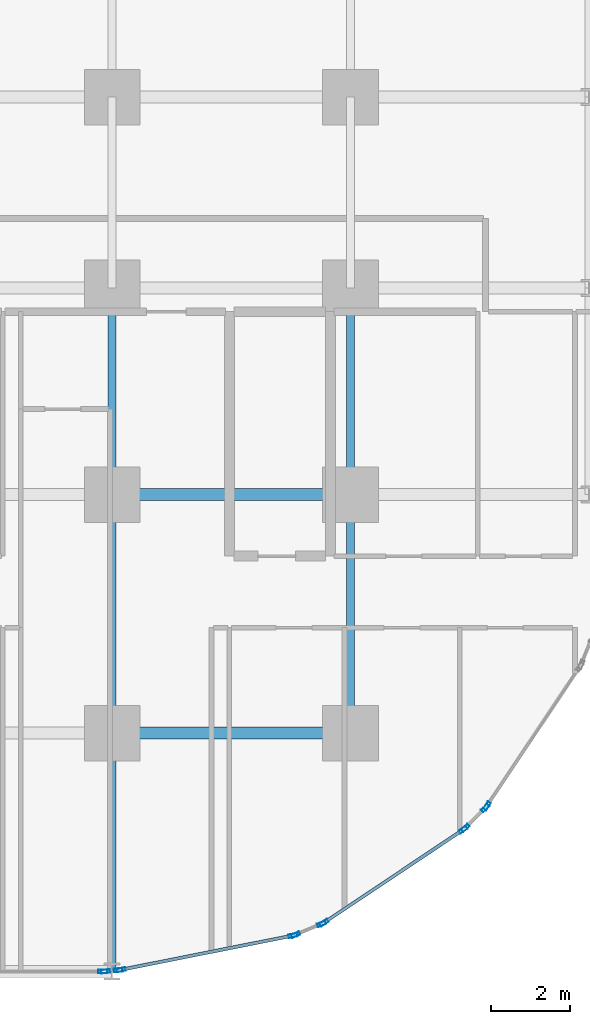
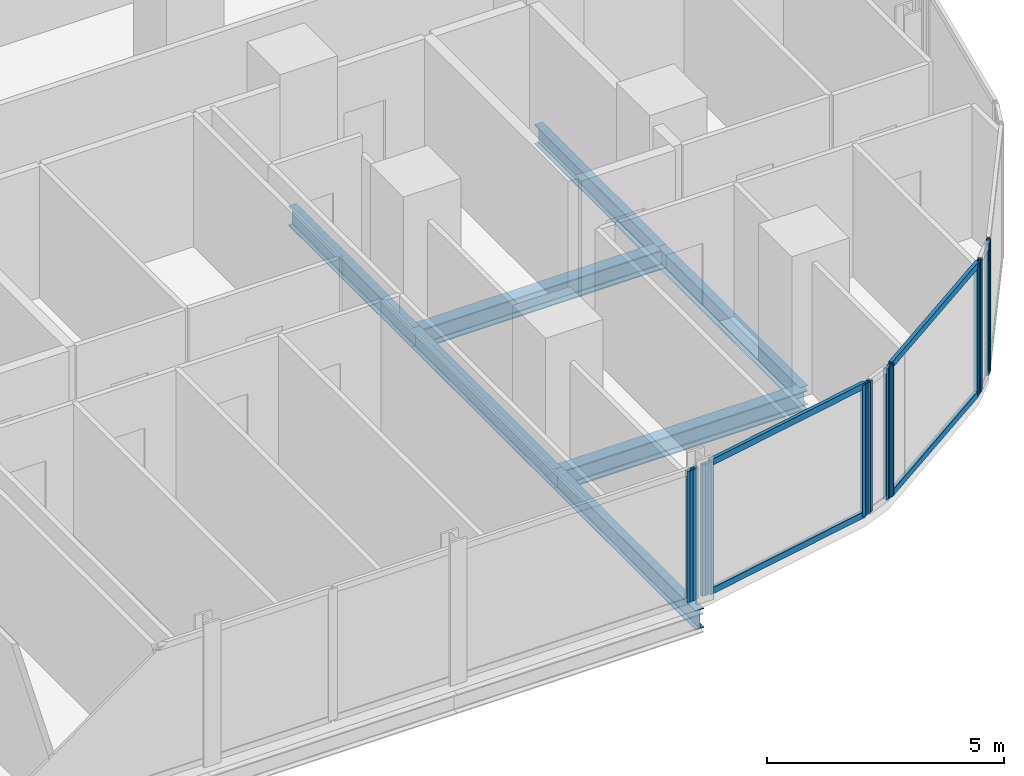
# One storey, part 9 of 33: 16 members, 7 beams, 7 elements without a shape of their own.
"""IFC4 building model written with IfcOpenShell, lengths in metres."""

from ifc_helpers import new_model, si_unit, direction, frame, origin, origin_2d, place, context, subcontext, project, spatial, hollow_rectangle, i_section, extrude, material, layer, layer_set, material_profile, profile_set, type_object, element, aggregate, save


model = new_model("IFC4")

# Units and contexts
model_context = context("Model", 3, precision=1e-05, world=origin(), true_north=direction((0.0, 1.0)))
body_context = subcontext(model_context, "Body", "Model", "MODEL_VIEW")
ifc_project = project(units=[si_unit("LENGTHUNIT", "METRE"), si_unit("AREAUNIT", "SQUARE_METRE"), si_unit("VOLUMEUNIT", "CUBIC_METRE"), si_unit("PLANEANGLEUNIT", "RADIAN"), si_unit("MASSUNIT", "GRAM", prefix="KILO")], contexts=[model_context])

# Site, building, storey
site_placement = place(None, origin())
site = spatial("IfcSite", under=ifc_project, at=site_placement, CompositionType="ELEMENT")
building_placement = place(site_placement, origin())
building = spatial("IfcBuilding", under=site, at=building_placement, Name="Keshet Zoharim Tower", CompositionType="ELEMENT")
storey_placement = place(building_placement, frame((0.0, 0.0, 27.699951171875)))
storey = spatial("IfcBuildingStorey", under=building, at=storey_placement, Name="L05", CompositionType="ELEMENT", Elevation=27.699951171875)

# Beams
ifc_material_1 = material(Name="Steel S355", Category="steel")
ifc_material_profile_1 = material_profile(ifc_material_1, i_section(OverallWidth=0.199951171875, OverallDepth=0.5, WebThickness=0.01025390625, FlangeThickness=0.01611328125, FilletRadius=0.02099609375, at=origin_2d()), Name="IPE500")
ifc_profile_set_1 = profile_set([ifc_material_profile_1], Name="Steel S355")
beam_type_1 = type_object("IfcBeamType", Name="BM-PRI-IP500", PredefinedType="BEAM", material=ifc_profile_set_1)
for number, where, z_axis, x_axis, name in (
    (1, (57.0, 0.699951171875, -0.56494140625), (0.0, 1.0, 0.0), (-1.0, 0.0, 0.0), "L05 Primary Girder Y-013"),
    (2, (57.0, 6.699951171875, -0.56494140625), (0.0, 1.0, 0.0), (-1.0, 0.0, 0.0), "L05 Primary Girder Y-014"),
):
    element("IfcBeam", number, at=place(storey_placement, frame(where, z_axis=z_axis, x_axis=x_axis)), inside=storey, type_object=beam_type_1, Name=name, PredefinedType="BEAM", context=body_context, shape_type="SweptSolid", body=[
        extrude(i_section(OverallWidth=0.199951171875, OverallDepth=0.5, WebThickness=0.01025390625, FlangeThickness=0.01611328125, FilletRadius=0.02099609375, at=origin_2d()), origin(), (0.0, 0.0, 1.0), 6.0),
    ])
beam_1_placement = place(storey_placement, frame((57.0, 12.699951171875, -0.56494140625), z_axis=(0.0, 1.0, 0.0), x_axis=(-1.0, 0.0, 0.0)))
element("IfcBeam", 3, at=beam_1_placement, inside=storey, type_object=beam_type_1, Name="L05 Primary Girder Y-015", PredefinedType="BEAM", context=body_context, shape_type="SweptSolid", body=[
    extrude(i_section(OverallWidth=0.199951171875, OverallDepth=0.5, WebThickness=0.01025390625, FlangeThickness=0.01611328125, FilletRadius=0.02099609375, at=origin_2d()), origin(), (0.0, 0.0, 1.0), 5.199951171875),
])
beam_2_placement = place(storey_placement, frame((63.0, 6.699951171875, -0.56494140625), z_axis=(0.0, 1.0, 0.0), x_axis=(-1.0, 0.0, 0.0)))
element("IfcBeam", 4, at=beam_2_placement, inside=storey, type_object=beam_type_1, Name="L05 Primary Girder Y-018", PredefinedType="BEAM", context=body_context, shape_type="SweptSolid", body=[
    extrude(i_section(OverallWidth=0.199951171875, OverallDepth=0.5, WebThickness=0.01025390625, FlangeThickness=0.01611328125, FilletRadius=0.02099609375, at=origin_2d()), origin(), (0.0, 0.0, 1.0), 6.0),
])
beam_3_placement = place(storey_placement, frame((63.0, 12.699951171875, -0.56494140625), z_axis=(0.0, 1.0, 0.0), x_axis=(-1.0, 0.0, 0.0)))
element("IfcBeam", 5, at=beam_3_placement, inside=storey, type_object=beam_type_1, Name="L05 Primary Girder Y-019", PredefinedType="BEAM", context=body_context, shape_type="SweptSolid", body=[
    extrude(i_section(OverallWidth=0.199951171875, OverallDepth=0.5, WebThickness=0.01025390625, FlangeThickness=0.01611328125, FilletRadius=0.02099609375, at=origin_2d()), origin(), (0.0, 0.0, 1.0), 5.199951171875),
])
ifc_material_profile_2 = material_profile(ifc_material_1, i_section(OverallWidth=0.300048828125, OverallDepth=0.5, WebThickness=0.014404296875, FlangeThickness=0.028076171875, FilletRadius=0.027099609375, at=origin_2d()), Name="HEB500")
ifc_profile_set_2 = profile_set([ifc_material_profile_2], Name="Steel S355")
beam_type_2 = type_object("IfcBeamType", Name="BM-WEB-HB500", PredefinedType="BEAM", material=ifc_profile_set_2)
for number, where, z_axis, x_axis, name in (
    (6, (57.0, 6.699951171875, -0.56494140625), (1.0, 0.0, 0.0), (0.0, 1.0, 0.0), "L05 Primary Girder X-010"),
    (7, (57.0, 12.699951171875, -0.56494140625), (1.0, 0.0, 0.0), (0.0, 1.0, 0.0), "L05 Primary Girder X-013"),
):
    element("IfcBeam", number, at=place(storey_placement, frame(where, z_axis=z_axis, x_axis=x_axis)), inside=storey, type_object=beam_type_2, Name=name, PredefinedType="BEAM", context=body_context, shape_type="SweptSolid", body=[
        extrude(i_section(OverallWidth=0.300048828125, OverallDepth=0.5, WebThickness=0.014404296875, FlangeThickness=0.028076171875, FilletRadius=0.027099609375, at=origin_2d()), origin(), (0.0, 0.0, 1.0), 6.0),
    ])

# Curtain wall, member
ifc_material_2 = material(Name="Aluminium 6063-T6", Category="aluminium")
ifc_layer = layer(ifc_material_2, 0.179931640625)
ifc_layer_set = layer_set([ifc_layer], Name="Aluminium 6063-T6")
curtain_wall_type = type_object("IfcCurtainWallType", Name="CW-SYS-01", PredefinedType="NOTDEFINED", material=ifc_layer_set)
curtain_wall_1_placement = place(storey_placement, origin())
curtain_wall_1 = element("IfcCurtainWall", 8, at=curtain_wall_1_placement, inside=storey, type_object=curtain_wall_type, Name="L05 Unitised Curtain Wall 20", PredefinedType="NOTDEFINED")
ifc_material_profile_3 = material_profile(ifc_material_2, hollow_rectangle(XDim=0.090087890625, YDim=0.219970703125, WallThickness=0.0048828125, at=origin_2d()), Name="MUL-90x220")
ifc_profile_set_3 = profile_set([ifc_material_profile_3], Name="Aluminium 6063-T6")
member_type_1 = type_object("IfcMemberType", Name="CWM-M22", PredefinedType="MULLION", material=ifc_profile_set_3)
member_1_placement = place(storey_placement, frame((66.432373046875, 4.8671875, 0.0), z_axis=(0.0, 0.0, 1.0), x_axis=(0.831474282335, -0.555563243758, 0.0)))
member_1 = element("IfcMember", 9, at=member_1_placement, type_object=member_type_1, Name="CW-01 mullion 2", PredefinedType="MULLION", context=body_context, shape_type="SweptSolid", body=[
    extrude(hollow_rectangle(XDim=0.090087890625, YDim=0.219970703125, WallThickness=0.0048828125, at=origin_2d()), origin(), (0.0, 0.0, 1.0), 3.385009765625),
])
aggregate(curtain_wall_1, [member_1])

# Curtain wall, members
curtain_wall_2_placement = place(storey_placement, origin())
curtain_wall_2 = element("IfcCurtainWall", 10, at=curtain_wall_2_placement, inside=storey, type_object=curtain_wall_type, Name="L05 Unitised Curtain Wall 21", PredefinedType="NOTDEFINED")
member_2_placement = place(storey_placement, frame((66.38818359375, 4.813232421875, 0.0), z_axis=(0.0, 0.0, 1.0), x_axis=(0.707106781187, -0.707106781187, 0.0)))
member_2 = element("IfcMember", 11, at=member_2_placement, type_object=member_type_1, Name="CW-01 mullion 1", PredefinedType="MULLION", context=body_context, shape_type="SweptSolid", body=[
    extrude(hollow_rectangle(XDim=0.090087890625, YDim=0.219970703125, WallThickness=0.0048828125, at=origin_2d()), origin(), (0.0, 0.0, 1.0), 3.385009765625),
])
member_3_placement = place(storey_placement, frame((65.88671875, 4.311767578125, 0.0), z_axis=(0.0, 0.0, 1.0), x_axis=(0.707106781187, -0.707106781187, 0.0)))
member_3 = element("IfcMember", 12, at=member_3_placement, type_object=member_type_1, Name="CW-01 mullion 2", PredefinedType="MULLION", context=body_context, shape_type="SweptSolid", body=[
    extrude(hollow_rectangle(XDim=0.090087890625, YDim=0.219970703125, WallThickness=0.0048828125, at=origin_2d()), origin(), (0.0, 0.0, 1.0), 3.385009765625),
])
aggregate(curtain_wall_2, [member_2, member_3])

curtain_wall_3_placement = place(storey_placement, origin())
curtain_wall_3 = element("IfcCurtainWall", 13, at=curtain_wall_3_placement, inside=storey, type_object=curtain_wall_type, Name="L05 Unitised Curtain Wall 22", PredefinedType="NOTDEFINED")
member_4_placement = place(storey_placement, frame((65.8330078125, 4.267578125, 0.0), z_axis=(0.0, 0.0, 1.0), x_axis=(0.555563243758, -0.831474282335, 0.0)))
member_4 = element("IfcMember", 14, at=member_4_placement, type_object=member_type_1, Name="CW-01 mullion 1", PredefinedType="MULLION", context=body_context, shape_type="SweptSolid", body=[
    extrude(hollow_rectangle(XDim=0.090087890625, YDim=0.219970703125, WallThickness=0.0048828125, at=origin_2d()), origin(), (0.0, 0.0, 1.0), 3.385009765625),
])
member_5_placement = place(storey_placement, frame((62.335205078125, 1.930419921875, 0.0), z_axis=(0.0, 0.0, 1.0), x_axis=(0.555563243758, -0.831474282335, 0.0)))
member_5 = element("IfcMember", 15, at=member_5_placement, type_object=member_type_1, Name="CW-01 mullion 2", PredefinedType="MULLION", context=body_context, shape_type="SweptSolid", body=[
    extrude(hollow_rectangle(XDim=0.090087890625, YDim=0.219970703125, WallThickness=0.0048828125, at=origin_2d()), origin(), (0.0, 0.0, 1.0), 3.385009765625),
])

curtain_wall_4_placement = place(storey_placement, origin())
curtain_wall_4 = element("IfcCurtainWall", 16, at=curtain_wall_4_placement, inside=storey, type_object=curtain_wall_type, Name="L05 Unitised Curtain Wall 23", PredefinedType="NOTDEFINED")
member_6_placement = place(storey_placement, frame((62.273681640625, 1.897705078125, 0.0), z_axis=(0.0, 0.0, 1.0), x_axis=(0.383068349739, -0.923720000557, 0.0)))
member_6 = element("IfcMember", 17, at=member_6_placement, type_object=member_type_1, Name="CW-01 mullion 1", PredefinedType="MULLION", context=body_context, shape_type="SweptSolid", body=[
    extrude(hollow_rectangle(XDim=0.090087890625, YDim=0.219970703125, WallThickness=0.0048828125, at=origin_2d()), origin(), (0.0, 0.0, 1.0), 3.385009765625),
])
member_7_placement = place(storey_placement, frame((61.617431640625, 1.62548828125, 0.0), z_axis=(0.0, 0.0, 1.0), x_axis=(0.383068349739, -0.923720000557, 0.0)))
member_7 = element("IfcMember", 18, at=member_7_placement, type_object=member_type_1, Name="CW-01 mullion 2", PredefinedType="MULLION", context=body_context, shape_type="SweptSolid", body=[
    extrude(hollow_rectangle(XDim=0.090087890625, YDim=0.219970703125, WallThickness=0.0048828125, at=origin_2d()), origin(), (0.0, 0.0, 1.0), 3.385009765625),
])
aggregate(curtain_wall_4, [member_6, member_7])

curtain_wall_5_placement = place(storey_placement, origin())
curtain_wall_5 = element("IfcCurtainWall", 19, at=curtain_wall_5_placement, inside=storey, type_object=curtain_wall_type, Name="L05 Unitised Curtain Wall 24", PredefinedType="NOTDEFINED")
member_8_placement = place(storey_placement, frame((61.55078125, 1.605224609375, 0.0), z_axis=(0.0, 0.0, 1.0), x_axis=(0.195171279072, -0.98076917357, 0.0)))
member_8 = element("IfcMember", 20, at=member_8_placement, type_object=member_type_1, Name="CW-01 mullion 1", PredefinedType="MULLION", context=body_context, shape_type="SweptSolid", body=[
    extrude(hollow_rectangle(XDim=0.090087890625, YDim=0.219970703125, WallThickness=0.0048828125, at=origin_2d()), origin(), (0.0, 0.0, 1.0), 3.385009765625),
])
member_9_placement = place(storey_placement, frame((57.227294921875, 0.744873046875, 0.0), z_axis=(0.0, 0.0, 1.0), x_axis=(0.195171279072, -0.98076917357, 0.0)))
member_9 = element("IfcMember", 21, at=member_9_placement, type_object=member_type_1, Name="CW-01 mullion 2", PredefinedType="MULLION", context=body_context, shape_type="SweptSolid", body=[
    extrude(hollow_rectangle(XDim=0.090087890625, YDim=0.219970703125, WallThickness=0.0048828125, at=origin_2d()), origin(), (0.0, 0.0, 1.0), 3.385009765625),
])

curtain_wall_6_placement = place(storey_placement, origin())
curtain_wall_6 = element("IfcCurtainWall", 22, at=curtain_wall_6_placement, inside=storey, type_object=curtain_wall_type, Name="L05 Unitised Curtain Wall 25", PredefinedType="NOTDEFINED")
member_10_placement = place(storey_placement, frame((57.158203125, 0.734619140625, 0.0), z_axis=(0.0, 0.0, 1.0), x_axis=(0.096976648633, -0.995286657009, 0.0)))
member_10 = element("IfcMember", 23, at=member_10_placement, type_object=member_type_1, Name="CW-01 mullion 1", PredefinedType="MULLION", context=body_context, shape_type="SweptSolid", body=[
    extrude(hollow_rectangle(XDim=0.090087890625, YDim=0.219970703125, WallThickness=0.0048828125, at=origin_2d()), origin(), (0.0, 0.0, 1.0), 3.385009765625),
])
member_11_placement = place(storey_placement, frame((56.837890625, 0.703369140625, 0.0), z_axis=(0.0, 0.0, 1.0), x_axis=(0.096976648633, -0.995286657009, 0.0)))
member_11 = element("IfcMember", 24, at=member_11_placement, type_object=member_type_1, Name="CW-01 mullion 2", PredefinedType="MULLION", context=body_context, shape_type="SweptSolid", body=[
    extrude(hollow_rectangle(XDim=0.090087890625, YDim=0.219970703125, WallThickness=0.0048828125, at=origin_2d()), origin(), (0.0, 0.0, 1.0), 3.385009765625),
])
aggregate(curtain_wall_6, [member_10, member_11])

# Curtain wall, member
curtain_wall_7_placement = place(storey_placement, origin())
curtain_wall_7 = element("IfcCurtainWall", 25, at=curtain_wall_7_placement, inside=storey, type_object=curtain_wall_type, Name="L05 Unitised Curtain Wall 26", PredefinedType="NOTDEFINED")
member_12_placement = place(storey_placement, frame((56.76806640625, 0.699951171875, 0.0), z_axis=(0.0, 0.0, 1.0), x_axis=(0.0, -1.0, 0.0)))
member_12 = element("IfcMember", 26, at=member_12_placement, type_object=member_type_1, Name="CW-01 mullion 1", PredefinedType="MULLION", context=body_context, shape_type="SweptSolid", body=[
    extrude(hollow_rectangle(XDim=0.090087890625, YDim=0.219970703125, WallThickness=0.0048828125, at=origin_2d()), origin(), (0.0, 0.0, 1.0), 3.385009765625),
])
aggregate(curtain_wall_7, [member_12])

# Member
ifc_material_profile_4 = material_profile(ifc_material_2, hollow_rectangle(XDim=0.0849609375, YDim=0.159912109375, WallThickness=0.00439453125, at=origin_2d()), Name="TRN-85x160")
ifc_profile_set_4 = profile_set([ifc_material_profile_4], Name="Aluminium 6063-T6")
member_type_2 = type_object("IfcMemberType", Name="CWT-T16", PredefinedType="USERDEFINED", material=ifc_profile_set_4)
member_13_placement = place(storey_placement, frame((65.8037109375, 4.248046875, 0.03515625), z_axis=(-0.831477809106, -0.55555796544, 0.0), x_axis=(0.55555796544, -0.831477809106, 0.0)))
member_13 = element("IfcMember", 27, at=member_13_placement, type_object=member_type_2, Name="CW-01 transom 1.1", ObjectType="TRANSOM", PredefinedType="USERDEFINED", context=body_context, shape_type="SweptSolid", body=[
    extrude(hollow_rectangle(XDim=0.0849609375, YDim=0.159912109375, WallThickness=0.00439453125, at=origin_2d()), origin(), (0.0, 0.0, 1.0), 4.136474609375),
])

member_14_placement = place(storey_placement, frame((65.8037109375, 4.248046875, 3.35009765625), z_axis=(-0.831477809106, -0.55555796544, 0.0), x_axis=(0.55555796544, -0.831477809106, 0.0)))
member_14 = element("IfcMember", 28, at=member_14_placement, type_object=member_type_2, Name="CW-01 transom 1.2", ObjectType="TRANSOM", PredefinedType="USERDEFINED", context=body_context, shape_type="SweptSolid", body=[
    extrude(hollow_rectangle(XDim=0.0849609375, YDim=0.159912109375, WallThickness=0.00439453125, at=origin_2d()), origin(), (0.0, 0.0, 1.0), 4.136474609375),
])

aggregate(curtain_wall_3, [member_4, member_5, member_13, member_14])

member_15_placement = place(storey_placement, frame((61.516357421875, 1.598388671875, 0.03515625), z_axis=(-0.980768540739, -0.195174459131, 0.0), x_axis=(0.195174459131, -0.980768540739, 0.0)))
member_15 = element("IfcMember", 29, at=member_15_placement, type_object=member_type_2, Name="CW-01 transom 1.1", ObjectType="TRANSOM", PredefinedType="USERDEFINED", context=body_context, shape_type="SweptSolid", body=[
    extrude(hollow_rectangle(XDim=0.0849609375, YDim=0.159912109375, WallThickness=0.00439453125, at=origin_2d()), origin(), (0.0, 0.0, 1.0), 4.338134765625),
])

member_16_placement = place(storey_placement, frame((61.516357421875, 1.598388671875, 3.35009765625), z_axis=(-0.980768540739, -0.195174459131, 0.0), x_axis=(0.195174459131, -0.980768540739, 0.0)))
member_16 = element("IfcMember", 30, at=member_16_placement, type_object=member_type_2, Name="CW-01 transom 1.2", ObjectType="TRANSOM", PredefinedType="USERDEFINED", context=body_context, shape_type="SweptSolid", body=[
    extrude(hollow_rectangle(XDim=0.0849609375, YDim=0.159912109375, WallThickness=0.00439453125, at=origin_2d()), origin(), (0.0, 0.0, 1.0), 4.338134765625),
])

aggregate(curtain_wall_5, [member_8, member_9, member_15, member_16])

save(model, "model.ifc")
